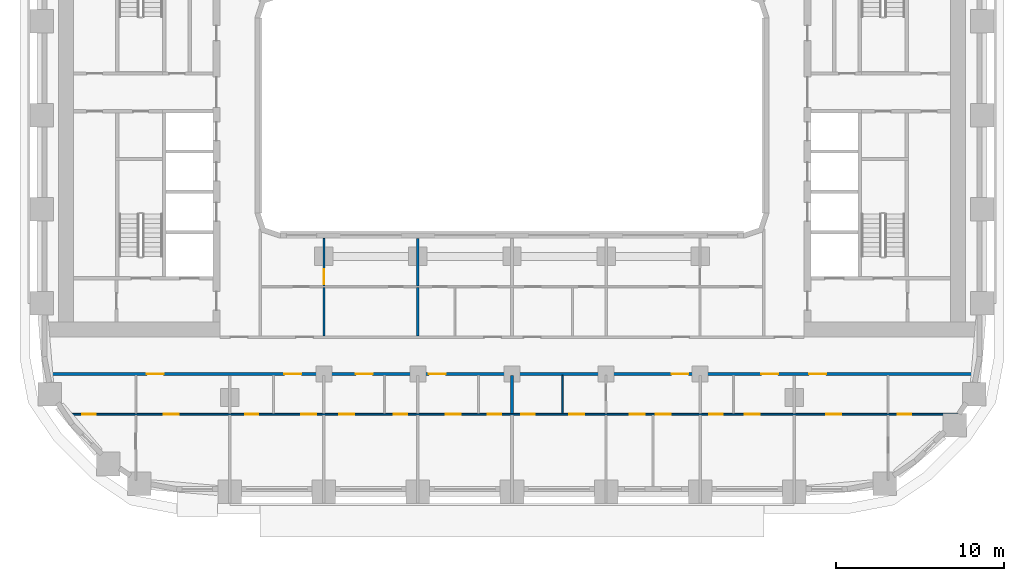
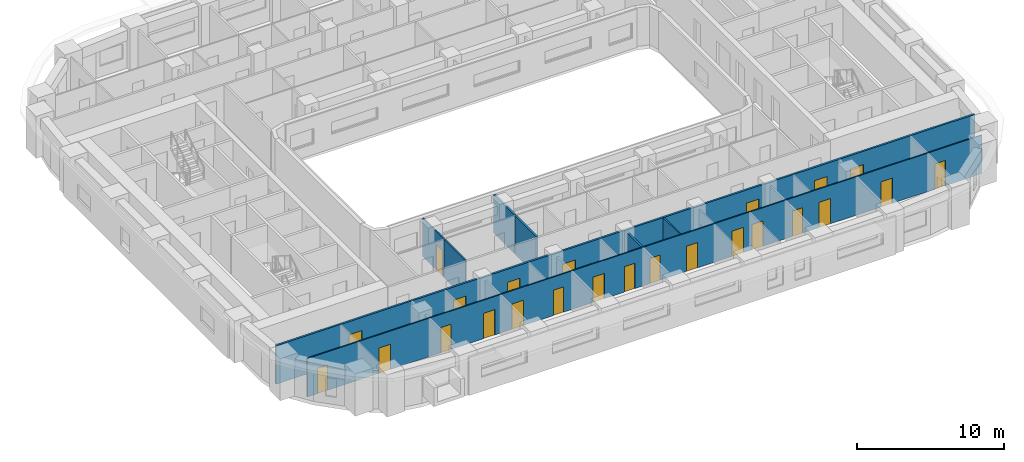
# One storey, part 3 of 22: 24 doors, 8 walls, 24 openings.
"""IFC4 building model written with IfcOpenShell, lengths in metres."""

from ifc_helpers import new_model, si_unit, direction, frame, frame_2d, origin, place, context, subcontext, project, spatial, rectangle, extrude, material, layer, layer_set, type_object, element, fill, save


model = new_model("IFC4")

# Units and contexts
model_context = context("Model", 3, precision=1e-05, world=origin(), true_north=direction((0.0, 1.0)))
body_context = subcontext(model_context, "Body", "Model", "MODEL_VIEW")
ifc_project = project(units=[si_unit("LENGTHUNIT", "METRE"), si_unit("AREAUNIT", "SQUARE_METRE"), si_unit("VOLUMEUNIT", "CUBIC_METRE"), si_unit("PLANEANGLEUNIT", "RADIAN"), si_unit("MASSUNIT", "GRAM", prefix="KILO")], contexts=[model_context])

# Site, building, storey
site_placement = place(None, origin())
site = spatial("IfcSite", under=ifc_project, at=site_placement, CompositionType="ELEMENT")
building_placement = place(site_placement, origin())
building = spatial("IfcBuilding", under=site, at=building_placement, Name="Kiln Ring Residences", CompositionType="ELEMENT")
storey_placement = place(building_placement, frame((0.0, 0.0, 65.5)))
storey = spatial("IfcBuildingStorey", under=building, at=storey_placement, Name="L16", CompositionType="ELEMENT", Elevation=65.5)

# Wall, openings, doors
ifc_material_1 = material(Name="Gypsum board on steel studs", Category="steel")
ifc_layer_1 = layer(ifc_material_1, 0.10009765625)
ifc_layer_set_1 = layer_set([ifc_layer_1], Name="PARTITION-100")
wall_type_1 = type_object("IfcWallType", Name="PARTITION-100", PredefinedType="PARTITIONING", material=ifc_layer_set_1)
wall_1_placement = place(storey_placement, frame((-26.39404296875, -17.800048828125, 0.0), z_axis=(0.0, 0.0, 1.0), x_axis=(1.0, 0.0, 0.0)))
wall_1 = element("IfcWall", 1, at=wall_1_placement, inside=storey, type_object=wall_type_1, Name="Partition 000", PredefinedType="PARTITIONING", context=body_context, shape_type="SweptSolid", body=[
    extrude(rectangle(XDim=53.033935546875, YDim=0.10009765625, at=frame_2d((26.51708984375, 0.0))), origin(), (0.0, 0.0, 1.0), 3.199951171875),
])
opening_1_placement = place(wall_1_placement, frame((0.7939453125, 0.0, 0.0)))
opening_1 = element("IfcOpeningElement", 2, at=opening_1_placement, cuts=wall_1, Name="Opening L16-D058", PredefinedType="OPENING", context=body_context, shape_type="SweptSolid", body=[
    extrude(rectangle(XDim=0.800048828125, YDim=2.10009765625, at=frame_2d((0.39990234375, 1.050048828125))), frame((0.0, 0.06005859375, 0.0), z_axis=(0.0, -1.0, 0.0), x_axis=(1.0, 0.0, 0.0)), (0.0, 0.0, 1.0), 0.1201171875),
])
opening_2_placement = place(wall_1_placement, frame((5.64404296875, 0.0, 0.0)))
opening_2 = element("IfcOpeningElement", 3, at=opening_2_placement, cuts=wall_1, Name="Opening L16-D059", PredefinedType="OPENING", context=body_context, shape_type="SweptSolid", body=[
    extrude(rectangle(XDim=0.89990234375, YDim=2.10009765625, at=frame_2d((0.449951171875, 1.050048828125))), frame((0.0, 0.06005859375, 0.0), z_axis=(0.0, -1.0, 0.0), x_axis=(1.0, 0.0, 0.0)), (0.0, 0.0, 1.0), 0.1201171875),
])
opening_3_placement = place(wall_1_placement, frame((10.493896484375, 0.0, 0.0)))
opening_3 = element("IfcOpeningElement", 4, at=opening_3_placement, cuts=wall_1, Name="Opening L16-D062", PredefinedType="OPENING", context=body_context, shape_type="SweptSolid", body=[
    extrude(rectangle(XDim=0.800048828125, YDim=2.10009765625, at=frame_2d((0.39990234375, 1.050048828125))), frame((0.0, 0.06005859375, 0.0), z_axis=(0.0, -1.0, 0.0), x_axis=(1.0, 0.0, 0.0)), (0.0, 0.0, 1.0), 0.1201171875),
])
opening_4_placement = place(wall_1_placement, frame((13.843994140625, 0.0, 0.0)))
opening_4 = element("IfcOpeningElement", 5, at=opening_4_placement, cuts=wall_1, Name="Opening L16-D063", PredefinedType="OPENING", context=body_context, shape_type="SweptSolid", body=[
    extrude(rectangle(XDim=0.89990234375, YDim=2.10009765625, at=frame_2d((0.449951171875, 1.050048828125))), frame((0.0, 0.06005859375, 0.0), z_axis=(0.0, -1.0, 0.0), x_axis=(1.0, 0.0, 0.0)), (0.0, 0.0, 1.0), 0.1201171875),
])
opening_5_placement = place(wall_1_placement, frame((19.343994140625, 0.0, 0.0)))
opening_5 = element("IfcOpeningElement", 6, at=opening_5_placement, cuts=wall_1, Name="Opening L16-D065", PredefinedType="OPENING", context=body_context, shape_type="SweptSolid", body=[
    extrude(rectangle(XDim=0.800048828125, YDim=2.10009765625, at=frame_2d((0.39990234375, 1.050048828125))), frame((0.0, 0.06005859375, 0.0), z_axis=(0.0, -1.0, 0.0), x_axis=(1.0, 0.0, 0.0)), (0.0, 0.0, 1.0), 0.1201171875),
])
opening_6_placement = place(wall_1_placement, frame((16.093994140625, 0.0, 0.0)))
opening_6 = element("IfcOpeningElement", 7, at=opening_6_placement, cuts=wall_1, Name="Opening L16-D066", PredefinedType="OPENING", context=body_context, shape_type="SweptSolid", body=[
    extrude(rectangle(XDim=0.89990234375, YDim=2.10009765625, at=frame_2d((0.449951171875, 1.050048828125))), frame((0.0, 0.06005859375, 0.0), z_axis=(0.0, -1.0, 0.0), x_axis=(1.0, 0.0, 0.0)), (0.0, 0.0, 1.0), 0.1201171875),
])
opening_7_placement = place(wall_1_placement, frame((24.944091796875, 0.0, 0.0)))
opening_7 = element("IfcOpeningElement", 8, at=opening_7_placement, cuts=wall_1, Name="Opening L16-D068", PredefinedType="OPENING", context=body_context, shape_type="SweptSolid", body=[
    extrude(rectangle(XDim=0.800048828125, YDim=2.10009765625, at=frame_2d((0.39990234375, 1.050048828125))), frame((0.0, 0.06005859375, 0.0), z_axis=(0.0, -1.0, 0.0), x_axis=(1.0, 0.0, 0.0)), (0.0, 0.0, 1.0), 0.1201171875),
])
opening_8_placement = place(wall_1_placement, frame((22.444091796875, 0.0, 0.0)))
opening_8 = element("IfcOpeningElement", 9, at=opening_8_placement, cuts=wall_1, Name="Opening L16-D069", PredefinedType="OPENING", context=body_context, shape_type="SweptSolid", body=[
    extrude(rectangle(XDim=0.89990234375, YDim=2.10009765625, at=frame_2d((0.449951171875, 1.050048828125))), frame((0.0, 0.06005859375, 0.0), z_axis=(0.0, -1.0, 0.0), x_axis=(1.0, 0.0, 0.0)), (0.0, 0.0, 1.0), 0.1201171875),
])
opening_9_placement = place(wall_1_placement, frame((26.944091796875, 0.0, 0.0)))
opening_9 = element("IfcOpeningElement", 10, at=opening_9_placement, cuts=wall_1, Name="Opening L16-D072", PredefinedType="OPENING", context=body_context, shape_type="SweptSolid", body=[
    extrude(rectangle(XDim=0.800048828125, YDim=2.10009765625, at=frame_2d((0.39990234375, 1.050048828125))), frame((0.0, 0.06005859375, 0.0), z_axis=(0.0, -1.0, 0.0), x_axis=(1.0, 0.0, 0.0)), (0.0, 0.0, 1.0), 0.1201171875),
])
opening_10_placement = place(wall_1_placement, frame((29.7939453125, 0.0, 0.0)))
opening_10 = element("IfcOpeningElement", 11, at=opening_10_placement, cuts=wall_1, Name="Opening L16-D073", PredefinedType="OPENING", context=body_context, shape_type="SweptSolid", body=[
    extrude(rectangle(XDim=0.89990234375, YDim=2.10009765625, at=frame_2d((0.449951171875, 1.050048828125))), frame((0.0, 0.06005859375, 0.0), z_axis=(0.0, -1.0, 0.0), x_axis=(1.0, 0.0, 0.0)), (0.0, 0.0, 1.0), 0.1201171875),
])
opening_11_placement = place(wall_1_placement, frame((33.39404296875, 0.0, 0.0)))
opening_11 = element("IfcOpeningElement", 12, at=opening_11_placement, cuts=wall_1, Name="Opening L16-D074", PredefinedType="OPENING", context=body_context, shape_type="SweptSolid", body=[
    extrude(rectangle(XDim=0.89990234375, YDim=2.10009765625, at=frame_2d((0.449951171875, 1.050048828125))), frame((0.0, 0.06005859375, 0.0), z_axis=(0.0, -1.0, 0.0), x_axis=(1.0, 0.0, 0.0)), (0.0, 0.0, 1.0), 0.1201171875),
])
opening_12_placement = place(wall_1_placement, frame((34.944091796875, 0.0, 0.0)))
opening_12 = element("IfcOpeningElement", 13, at=opening_12_placement, cuts=wall_1, Name="Opening L16-D075", PredefinedType="OPENING", context=body_context, shape_type="SweptSolid", body=[
    extrude(rectangle(XDim=0.89990234375, YDim=2.10009765625, at=frame_2d((0.449951171875, 1.050048828125))), frame((0.0, 0.06005859375, 0.0), z_axis=(0.0, -1.0, 0.0), x_axis=(1.0, 0.0, 0.0)), (0.0, 0.0, 1.0), 0.1201171875),
])
opening_13_placement = place(wall_1_placement, frame((38.14404296875, 0.0, 0.0)))
opening_13 = element("IfcOpeningElement", 14, at=opening_13_placement, cuts=wall_1, Name="Opening L16-D077", PredefinedType="OPENING", context=body_context, shape_type="SweptSolid", body=[
    extrude(rectangle(XDim=0.800048828125, YDim=2.10009765625, at=frame_2d((0.39990234375, 1.050048828125))), frame((0.0, 0.06005859375, 0.0), z_axis=(0.0, -1.0, 0.0), x_axis=(1.0, 0.0, 0.0)), (0.0, 0.0, 1.0), 0.1201171875),
])
opening_14_placement = place(wall_1_placement, frame((40.243896484375, 0.0, 0.0)))
opening_14 = element("IfcOpeningElement", 15, at=opening_14_placement, cuts=wall_1, Name="Opening L16-D078", PredefinedType="OPENING", context=body_context, shape_type="SweptSolid", body=[
    extrude(rectangle(XDim=0.89990234375, YDim=2.10009765625, at=frame_2d((0.449951171875, 1.050048828125))), frame((0.0, 0.06005859375, 0.0), z_axis=(0.0, -1.0, 0.0), x_axis=(1.0, 0.0, 0.0)), (0.0, 0.0, 1.0), 0.1201171875),
])
opening_15_placement = place(wall_1_placement, frame((49.362060546875, 0.0, 0.0)))
opening_15 = element("IfcOpeningElement", 16, at=opening_15_placement, cuts=wall_1, Name="Opening L16-D080", PredefinedType="OPENING", context=body_context, shape_type="SweptSolid", body=[
    extrude(rectangle(XDim=0.800048828125, YDim=2.10009765625, at=frame_2d((0.39990234375, 1.050048828125))), frame((0.0, 0.06005859375, 0.0), z_axis=(0.0, -1.0, 0.0), x_axis=(1.0, 0.0, 0.0)), (0.0, 0.0, 1.0), 0.1201171875),
])
opening_16_placement = place(wall_1_placement, frame((45.093994140625, 0.0, 0.0)))
opening_16 = element("IfcOpeningElement", 17, at=opening_16_placement, cuts=wall_1, Name="Opening L16-D081", PredefinedType="OPENING", context=body_context, shape_type="SweptSolid", body=[
    extrude(rectangle(XDim=0.89990234375, YDim=2.10009765625, at=frame_2d((0.449951171875, 1.050048828125))), frame((0.0, 0.06005859375, 0.0), z_axis=(0.0, -1.0, 0.0), x_axis=(1.0, 0.0, 0.0)), (0.0, 0.0, 1.0), 0.1201171875),
])
ifc_material_2 = material(Name="Timber door leaf", Category="wood")
door_type_1 = type_object("IfcDoorType", Name="FLAT-DOOR-800-PL", OperationType="SINGLE_SWING_LEFT", PredefinedType="DOOR", material=ifc_material_2)
door_1_placement = place(opening_1_placement, origin())
door_1 = element("IfcDoor", 18, at=door_1_placement, inside=storey, type_object=door_type_1, Name="Door L16-D058", OperationType="SINGLE_SWING_RIGHT", OverallHeight=2.10009765625, OverallWidth=0.800048828125, PredefinedType="DOOR", context=body_context, shape_type="SweptSolid", body=[
    extrude(rectangle(XDim=0.800048828125, YDim=2.10009765625, at=frame_2d((0.39990234375, 1.050048828125))), frame((0.0, 0.02490234375, 0.0), z_axis=(0.0, -1.0, 0.0), x_axis=(1.0, 0.0, 0.0)), (0.0, 0.0, 1.0), 0.050048828125),
])
fill(opening_1, door_1)
door_2_placement = place(opening_3_placement, origin())
door_2 = element("IfcDoor", 19, at=door_2_placement, inside=storey, type_object=door_type_1, Name="Door L16-D062", OperationType="SINGLE_SWING_RIGHT", OverallHeight=2.10009765625, OverallWidth=0.800048828125, PredefinedType="DOOR", context=body_context, shape_type="SweptSolid", body=[
    extrude(rectangle(XDim=0.800048828125, YDim=2.10009765625, at=frame_2d((0.39990234375, 1.050048828125))), frame((0.0, 0.02490234375, 0.0), z_axis=(0.0, -1.0, 0.0), x_axis=(1.0, 0.0, 0.0)), (0.0, 0.0, 1.0), 0.050048828125),
])
fill(opening_3, door_2)
door_3_placement = place(opening_5_placement, origin())
door_3 = element("IfcDoor", 20, at=door_3_placement, inside=storey, type_object=door_type_1, Name="Door L16-D065", OperationType="SINGLE_SWING_LEFT", OverallHeight=2.10009765625, OverallWidth=0.800048828125, PredefinedType="DOOR", context=body_context, shape_type="SweptSolid", body=[
    extrude(rectangle(XDim=0.800048828125, YDim=2.10009765625, at=frame_2d((0.39990234375, 1.050048828125))), frame((0.0, 0.02490234375, 0.0), z_axis=(0.0, -1.0, 0.0), x_axis=(1.0, 0.0, 0.0)), (0.0, 0.0, 1.0), 0.050048828125),
])
fill(opening_5, door_3)
door_4_placement = place(opening_7_placement, origin())
door_4 = element("IfcDoor", 21, at=door_4_placement, inside=storey, type_object=door_type_1, Name="Door L16-D068", OperationType="SINGLE_SWING_RIGHT", OverallHeight=2.10009765625, OverallWidth=0.800048828125, PredefinedType="DOOR", context=body_context, shape_type="SweptSolid", body=[
    extrude(rectangle(XDim=0.800048828125, YDim=2.10009765625, at=frame_2d((0.39990234375, 1.050048828125))), frame((0.0, 0.02490234375, 0.0), z_axis=(0.0, -1.0, 0.0), x_axis=(1.0, 0.0, 0.0)), (0.0, 0.0, 1.0), 0.050048828125),
])
fill(opening_7, door_4)
door_5_placement = place(opening_9_placement, origin())
door_5 = element("IfcDoor", 22, at=door_5_placement, inside=storey, type_object=door_type_1, Name="Door L16-D072", OperationType="SINGLE_SWING_RIGHT", OverallHeight=2.10009765625, OverallWidth=0.800048828125, PredefinedType="DOOR", context=body_context, shape_type="SweptSolid", body=[
    extrude(rectangle(XDim=0.800048828125, YDim=2.10009765625, at=frame_2d((0.39990234375, 1.050048828125))), frame((0.0, 0.02490234375, 0.0), z_axis=(0.0, -1.0, 0.0), x_axis=(1.0, 0.0, 0.0)), (0.0, 0.0, 1.0), 0.050048828125),
])
fill(opening_9, door_5)
door_6_placement = place(opening_13_placement, origin())
door_6 = element("IfcDoor", 23, at=door_6_placement, inside=storey, type_object=door_type_1, Name="Door L16-D077", OperationType="SINGLE_SWING_LEFT", OverallHeight=2.10009765625, OverallWidth=0.800048828125, PredefinedType="DOOR", context=body_context, shape_type="SweptSolid", body=[
    extrude(rectangle(XDim=0.800048828125, YDim=2.10009765625, at=frame_2d((0.39990234375, 1.050048828125))), frame((0.0, 0.02490234375, 0.0), z_axis=(0.0, -1.0, 0.0), x_axis=(1.0, 0.0, 0.0)), (0.0, 0.0, 1.0), 0.050048828125),
])
fill(opening_13, door_6)
door_7_placement = place(opening_15_placement, origin())
door_7 = element("IfcDoor", 24, at=door_7_placement, inside=storey, type_object=door_type_1, Name="Door L16-D080", OperationType="SINGLE_SWING_RIGHT", OverallHeight=2.10009765625, OverallWidth=0.800048828125, PredefinedType="DOOR", context=body_context, shape_type="SweptSolid", body=[
    extrude(rectangle(XDim=0.800048828125, YDim=2.10009765625, at=frame_2d((0.39990234375, 1.050048828125))), frame((0.0, 0.02490234375, 0.0), z_axis=(0.0, -1.0, 0.0), x_axis=(1.0, 0.0, 0.0)), (0.0, 0.0, 1.0), 0.050048828125),
])
fill(opening_15, door_7)
ifc_material_3 = material(Name="Timber door leaf", Category="wood")
door_type_2 = type_object("IfcDoorType", Name="FLAT-DOOR-900-PL", OperationType="SINGLE_SWING_LEFT", PredefinedType="DOOR", material=ifc_material_3)
door_8_placement = place(opening_2_placement, origin())
door_8 = element("IfcDoor", 25, at=door_8_placement, inside=storey, type_object=door_type_2, Name="Door L16-D059", OperationType="SINGLE_SWING_LEFT", OverallHeight=2.10009765625, OverallWidth=0.89990234375, PredefinedType="DOOR", context=body_context, shape_type="SweptSolid", body=[
    extrude(rectangle(XDim=0.89990234375, YDim=2.10009765625, at=frame_2d((0.449951171875, 1.050048828125))), frame((0.0, 0.02490234375, 0.0), z_axis=(0.0, -1.0, 0.0), x_axis=(1.0, 0.0, 0.0)), (0.0, 0.0, 1.0), 0.050048828125),
])
fill(opening_2, door_8)
door_9_placement = place(opening_4_placement, origin())
door_9 = element("IfcDoor", 26, at=door_9_placement, inside=storey, type_object=door_type_2, Name="Door L16-D063", OperationType="SINGLE_SWING_RIGHT", OverallHeight=2.10009765625, OverallWidth=0.89990234375, PredefinedType="DOOR", context=body_context, shape_type="SweptSolid", body=[
    extrude(rectangle(XDim=0.89990234375, YDim=2.10009765625, at=frame_2d((0.449951171875, 1.050048828125))), frame((0.0, 0.02490234375, 0.0), z_axis=(0.0, -1.0, 0.0), x_axis=(1.0, 0.0, 0.0)), (0.0, 0.0, 1.0), 0.050048828125),
])
fill(opening_4, door_9)
door_10_placement = place(opening_6_placement, origin())
door_10 = element("IfcDoor", 27, at=door_10_placement, inside=storey, type_object=door_type_2, Name="Door L16-D066", OperationType="SINGLE_SWING_LEFT", OverallHeight=2.10009765625, OverallWidth=0.89990234375, PredefinedType="DOOR", context=body_context, shape_type="SweptSolid", body=[
    extrude(rectangle(XDim=0.89990234375, YDim=2.10009765625, at=frame_2d((0.449951171875, 1.050048828125))), frame((0.0, 0.02490234375, 0.0), z_axis=(0.0, -1.0, 0.0), x_axis=(1.0, 0.0, 0.0)), (0.0, 0.0, 1.0), 0.050048828125),
])
fill(opening_6, door_10)
door_11_placement = place(opening_8_placement, origin())
door_11 = element("IfcDoor", 28, at=door_11_placement, inside=storey, type_object=door_type_2, Name="Door L16-D069", OperationType="SINGLE_SWING_RIGHT", OverallHeight=2.10009765625, OverallWidth=0.89990234375, PredefinedType="DOOR", context=body_context, shape_type="SweptSolid", body=[
    extrude(rectangle(XDim=0.89990234375, YDim=2.10009765625, at=frame_2d((0.449951171875, 1.050048828125))), frame((0.0, 0.02490234375, 0.0), z_axis=(0.0, -1.0, 0.0), x_axis=(1.0, 0.0, 0.0)), (0.0, 0.0, 1.0), 0.050048828125),
])
fill(opening_8, door_11)
door_12_placement = place(opening_10_placement, origin())
door_12 = element("IfcDoor", 29, at=door_12_placement, inside=storey, type_object=door_type_2, Name="Door L16-D073", OperationType="SINGLE_SWING_LEFT", OverallHeight=2.10009765625, OverallWidth=0.89990234375, PredefinedType="DOOR", context=body_context, shape_type="SweptSolid", body=[
    extrude(rectangle(XDim=0.89990234375, YDim=2.10009765625, at=frame_2d((0.449951171875, 1.050048828125))), frame((0.0, 0.02490234375, 0.0), z_axis=(0.0, -1.0, 0.0), x_axis=(1.0, 0.0, 0.0)), (0.0, 0.0, 1.0), 0.050048828125),
])
fill(opening_10, door_12)
door_13_placement = place(opening_11_placement, origin())
door_13 = element("IfcDoor", 30, at=door_13_placement, inside=storey, type_object=door_type_2, Name="Door L16-D074", OperationType="SINGLE_SWING_RIGHT", OverallHeight=2.10009765625, OverallWidth=0.89990234375, PredefinedType="DOOR", context=body_context, shape_type="SweptSolid", body=[
    extrude(rectangle(XDim=0.89990234375, YDim=2.10009765625, at=frame_2d((0.449951171875, 1.050048828125))), frame((0.0, 0.02490234375, 0.0), z_axis=(0.0, -1.0, 0.0), x_axis=(1.0, 0.0, 0.0)), (0.0, 0.0, 1.0), 0.050048828125),
])
fill(opening_11, door_13)
door_14_placement = place(opening_12_placement, origin())
door_14 = element("IfcDoor", 31, at=door_14_placement, inside=storey, type_object=door_type_2, Name="Door L16-D075", OperationType="SINGLE_SWING_LEFT", OverallHeight=2.10009765625, OverallWidth=0.89990234375, PredefinedType="DOOR", context=body_context, shape_type="SweptSolid", body=[
    extrude(rectangle(XDim=0.89990234375, YDim=2.10009765625, at=frame_2d((0.449951171875, 1.050048828125))), frame((0.0, 0.02490234375, 0.0), z_axis=(0.0, -1.0, 0.0), x_axis=(1.0, 0.0, 0.0)), (0.0, 0.0, 1.0), 0.050048828125),
])
fill(opening_12, door_14)
door_15_placement = place(opening_14_placement, origin())
door_15 = element("IfcDoor", 32, at=door_15_placement, inside=storey, type_object=door_type_2, Name="Door L16-D078", OperationType="SINGLE_SWING_LEFT", OverallHeight=2.10009765625, OverallWidth=0.89990234375, PredefinedType="DOOR", context=body_context, shape_type="SweptSolid", body=[
    extrude(rectangle(XDim=0.89990234375, YDim=2.10009765625, at=frame_2d((0.449951171875, 1.050048828125))), frame((0.0, 0.02490234375, 0.0), z_axis=(0.0, -1.0, 0.0), x_axis=(1.0, 0.0, 0.0)), (0.0, 0.0, 1.0), 0.050048828125),
])
fill(opening_14, door_15)
door_16_placement = place(opening_16_placement, origin())
door_16 = element("IfcDoor", 33, at=door_16_placement, inside=storey, type_object=door_type_2, Name="Door L16-D081", OperationType="SINGLE_SWING_LEFT", OverallHeight=2.10009765625, OverallWidth=0.89990234375, PredefinedType="DOOR", context=body_context, shape_type="SweptSolid", body=[
    extrude(rectangle(XDim=0.89990234375, YDim=2.10009765625, at=frame_2d((0.449951171875, 1.050048828125))), frame((0.0, 0.02490234375, 0.0), z_axis=(0.0, -1.0, 0.0), x_axis=(1.0, 0.0, 0.0)), (0.0, 0.0, 1.0), 0.050048828125),
])
fill(opening_16, door_16)

# Wall
wall_2_placement = place(storey_placement, frame((-11.199951171875, -13.125, 0.0), z_axis=(0.0, 0.0, 1.0), x_axis=(0.0, 1.0, 0.0)))
element("IfcWall", 34, at=wall_2_placement, inside=storey, type_object=wall_type_1, Name="Partition 020", PredefinedType="PARTITIONING", context=body_context, shape_type="SweptSolid", body=[
    extrude(rectangle(XDim=2.875, YDim=0.10009765625, at=frame_2d((1.4375, 0.0))), origin(), (0.0, 0.0, 1.0), 3.199951171875),
])

# Wall, opening, door
wall_3_placement = place(storey_placement, frame((-11.199951171875, -10.14990234375, 0.0), z_axis=(0.0, 0.0, 1.0), x_axis=(0.0, 1.0, 0.0)))
wall_3 = element("IfcWall", 35, at=wall_3_placement, inside=storey, type_object=wall_type_1, Name="Partition 021", PredefinedType="PARTITIONING", context=body_context, shape_type="SweptSolid", body=[
    extrude(rectangle(XDim=2.829833984375, YDim=0.10009765625, at=frame_2d((1.4150390625, 0.0))), origin(), (0.0, 0.0, 1.0), 3.199951171875),
])
opening_17_placement = place(wall_3_placement, frame((0.10009765625, 0.0, 0.0)))
opening_17 = element("IfcOpeningElement", 36, at=opening_17_placement, cuts=wall_3, Name="Opening L16-D046", PredefinedType="OPENING", context=body_context, shape_type="SweptSolid", body=[
    extrude(rectangle(XDim=0.89990234375, YDim=2.10009765625, at=frame_2d((0.449951171875, 1.050048828125))), frame((0.0, 0.06005859375, 0.0), z_axis=(0.0, -1.0, 0.0), x_axis=(1.0, 0.0, 0.0)), (0.0, 0.0, 1.0), 0.1201171875),
])
door_17_placement = place(opening_17_placement, origin())
door_17 = element("IfcDoor", 37, at=door_17_placement, inside=storey, type_object=door_type_2, Name="Door L16-D046", OperationType="SINGLE_SWING_LEFT", OverallHeight=2.10009765625, OverallWidth=0.89990234375, PredefinedType="DOOR", context=body_context, shape_type="SweptSolid", body=[
    extrude(rectangle(XDim=0.89990234375, YDim=2.10009765625, at=frame_2d((0.449951171875, 1.050048828125))), frame((0.0, 0.02490234375, 0.0), z_axis=(0.0, -1.0, 0.0), x_axis=(1.0, 0.0, 0.0)), (0.0, 0.0, 1.0), 0.050048828125),
])
fill(opening_17, door_17)

# Wall
wall_4_placement = place(storey_placement, frame((3.0, -17.75, 0.0), z_axis=(0.0, 0.0, 1.0), x_axis=(0.0, 1.0, 0.0)))
element("IfcWall", 38, at=wall_4_placement, inside=storey, type_object=wall_type_1, Name="Partition 049", PredefinedType="PARTITIONING", context=body_context, shape_type="SweptSolid", body=[
    extrude(rectangle(XDim=2.27490234375, YDim=0.10009765625, at=frame_2d((1.137451171875, 0.0))), origin(), (0.0, 0.0, 1.0), 3.199951171875),
])

# Wall, openings, doors
ifc_material_4 = material(Name="Brick masonry partition", Category="masonry")
ifc_layer_2 = layer(ifc_material_4, 0.14990234375)
ifc_layer_set_2 = layer_set([ifc_layer_2], Name="PARTITION-150-ei60")
wall_type_2 = type_object("IfcWallType", Name="PARTITION-150-ei60", PredefinedType="PARTITIONING", material=ifc_layer_set_2)
wall_5_placement = place(storey_placement, frame((-27.48388671875, -15.39990234375, 0.0), z_axis=(0.0, 0.0, 1.0), x_axis=(1.0, 0.0, 0.0)))
wall_5 = element("IfcWall", 39, at=wall_5_placement, inside=storey, type_object=wall_type_2, Name="Partition 001", PredefinedType="PARTITIONING", context=body_context, shape_type="SweptSolid", body=[
    extrude(rectangle(XDim=54.9677734375, YDim=0.14990234375, at=frame_2d((27.48388671875, 0.0))), origin(), (0.0, 0.0, 1.0), 3.199951171875),
])
opening_18_placement = place(wall_5_placement, frame((5.73388671875, 0.0, 0.0)))
opening_18 = element("IfcOpeningElement", 40, at=opening_18_placement, cuts=wall_5, Name="Opening L16-D057", PredefinedType="OPENING", context=body_context, shape_type="SweptSolid", body=[
    extrude(rectangle(XDim=1.0, YDim=2.10009765625, at=frame_2d((0.5, 1.050048828125))), frame((0.0, 0.0849609375, 0.0), z_axis=(0.0, -1.0, 0.0), x_axis=(1.0, 0.0, 0.0)), (0.0, 0.0, 1.0), 0.169921875),
])
opening_19_placement = place(wall_5_placement, frame((13.933837890625, 0.0, 0.0)))
opening_19 = element("IfcOpeningElement", 41, at=opening_19_placement, cuts=wall_5, Name="Opening L16-D061", PredefinedType="OPENING", context=body_context, shape_type="SweptSolid", body=[
    extrude(rectangle(XDim=1.0, YDim=2.10009765625, at=frame_2d((0.5, 1.050048828125))), frame((0.0, 0.0849609375, 0.0), z_axis=(0.0, -1.0, 0.0), x_axis=(1.0, 0.0, 0.0)), (0.0, 0.0, 1.0), 0.169921875),
])
opening_20_placement = place(wall_5_placement, frame((18.183837890625, 0.0, 0.0)))
opening_20 = element("IfcOpeningElement", 42, at=opening_20_placement, cuts=wall_5, Name="Opening L16-D064", PredefinedType="OPENING", context=body_context, shape_type="SweptSolid", body=[
    extrude(rectangle(XDim=1.0, YDim=2.10009765625, at=frame_2d((0.5, 1.050048828125))), frame((0.0, 0.0849609375, 0.0), z_axis=(0.0, -1.0, 0.0), x_axis=(1.0, 0.0, 0.0)), (0.0, 0.0, 1.0), 0.169921875),
])
opening_21_placement = place(wall_5_placement, frame((22.53369140625, 0.0, 0.0)))
opening_21 = element("IfcOpeningElement", 43, at=opening_21_placement, cuts=wall_5, Name="Opening L16-D067", PredefinedType="OPENING", context=body_context, shape_type="SweptSolid", body=[
    extrude(rectangle(XDim=1.0, YDim=2.10009765625, at=frame_2d((0.5, 1.050048828125))), frame((0.0, 0.0849609375, 0.0), z_axis=(0.0, -1.0, 0.0), x_axis=(1.0, 0.0, 0.0)), (0.0, 0.0, 1.0), 0.169921875),
])
opening_22_placement = place(wall_5_placement, frame((36.98388671875, 0.0, 0.0)))
opening_22 = element("IfcOpeningElement", 44, at=opening_22_placement, cuts=wall_5, Name="Opening L16-D070", PredefinedType="OPENING", context=body_context, shape_type="SweptSolid", body=[
    extrude(rectangle(XDim=1.0, YDim=2.10009765625, at=frame_2d((0.5, 1.050048828125))), frame((0.0, 0.0849609375, 0.0), z_axis=(0.0, -1.0, 0.0), x_axis=(1.0, 0.0, 0.0)), (0.0, 0.0, 1.0), 0.169921875),
])
opening_23_placement = place(wall_5_placement, frame((42.333740234375, 0.0, 0.0)))
opening_23 = element("IfcOpeningElement", 45, at=opening_23_placement, cuts=wall_5, Name="Opening L16-D076", PredefinedType="OPENING", context=body_context, shape_type="SweptSolid", body=[
    extrude(rectangle(XDim=1.0, YDim=2.10009765625, at=frame_2d((0.5, 1.050048828125))), frame((0.0, 0.0849609375, 0.0), z_axis=(0.0, -1.0, 0.0), x_axis=(1.0, 0.0, 0.0)), (0.0, 0.0, 1.0), 0.169921875),
])
opening_24_placement = place(wall_5_placement, frame((45.183837890625, 0.0, 0.0)))
opening_24 = element("IfcOpeningElement", 46, at=opening_24_placement, cuts=wall_5, Name="Opening L16-D079", PredefinedType="OPENING", context=body_context, shape_type="SweptSolid", body=[
    extrude(rectangle(XDim=1.0, YDim=2.10009765625, at=frame_2d((0.5, 1.050048828125))), frame((0.0, 0.0849609375, 0.0), z_axis=(0.0, -1.0, 0.0), x_axis=(1.0, 0.0, 0.0)), (0.0, 0.0, 1.0), 0.169921875),
])
ifc_material_5 = material(Name="Steel faced fire door leaf", Category="steel")
door_type_3 = type_object("IfcDoorType", Name="FLAT-DOOR-1000-FR", OperationType="SINGLE_SWING_LEFT", PredefinedType="DOOR", material=ifc_material_5)
door_18_placement = place(opening_18_placement, origin())
door_18 = element("IfcDoor", 47, at=door_18_placement, inside=storey, type_object=door_type_3, Name="Door L16-D057", OperationType="SINGLE_SWING_LEFT", OverallHeight=2.10009765625, OverallWidth=1.0, PredefinedType="DOOR", context=body_context, shape_type="SweptSolid", body=[
    extrude(rectangle(XDim=1.0, YDim=2.10009765625, at=frame_2d((0.5, 1.050048828125))), frame((0.0, 0.02490234375, 0.0), z_axis=(0.0, -1.0, 0.0), x_axis=(1.0, 0.0, 0.0)), (0.0, 0.0, 1.0), 0.050048828125),
])
fill(opening_18, door_18)
door_19_placement = place(opening_19_placement, origin())
door_19 = element("IfcDoor", 48, at=door_19_placement, inside=storey, type_object=door_type_3, Name="Door L16-D061", OperationType="SINGLE_SWING_LEFT", OverallHeight=2.10009765625, OverallWidth=1.0, PredefinedType="DOOR", context=body_context, shape_type="SweptSolid", body=[
    extrude(rectangle(XDim=1.0, YDim=2.10009765625, at=frame_2d((0.5, 1.050048828125))), frame((0.0, 0.02490234375, 0.0), z_axis=(0.0, -1.0, 0.0), x_axis=(1.0, 0.0, 0.0)), (0.0, 0.0, 1.0), 0.050048828125),
])
fill(opening_19, door_19)
door_20_placement = place(opening_20_placement, origin())
door_20 = element("IfcDoor", 49, at=door_20_placement, inside=storey, type_object=door_type_3, Name="Door L16-D064", OperationType="SINGLE_SWING_RIGHT", OverallHeight=2.10009765625, OverallWidth=1.0, PredefinedType="DOOR", context=body_context, shape_type="SweptSolid", body=[
    extrude(rectangle(XDim=1.0, YDim=2.10009765625, at=frame_2d((0.5, 1.050048828125))), frame((0.0, 0.02490234375, 0.0), z_axis=(0.0, -1.0, 0.0), x_axis=(1.0, 0.0, 0.0)), (0.0, 0.0, 1.0), 0.050048828125),
])
fill(opening_20, door_20)
door_21_placement = place(opening_21_placement, origin())
door_21 = element("IfcDoor", 50, at=door_21_placement, inside=storey, type_object=door_type_3, Name="Door L16-D067", OperationType="SINGLE_SWING_LEFT", OverallHeight=2.10009765625, OverallWidth=1.0, PredefinedType="DOOR", context=body_context, shape_type="SweptSolid", body=[
    extrude(rectangle(XDim=1.0, YDim=2.10009765625, at=frame_2d((0.5, 1.050048828125))), frame((0.0, 0.02490234375, 0.0), z_axis=(0.0, -1.0, 0.0), x_axis=(1.0, 0.0, 0.0)), (0.0, 0.0, 1.0), 0.050048828125),
])
fill(opening_21, door_21)
door_22_placement = place(opening_22_placement, origin())
door_22 = element("IfcDoor", 51, at=door_22_placement, inside=storey, type_object=door_type_3, Name="Door L16-D070", OperationType="SINGLE_SWING_RIGHT", OverallHeight=2.10009765625, OverallWidth=1.0, PredefinedType="DOOR", context=body_context, shape_type="SweptSolid", body=[
    extrude(rectangle(XDim=1.0, YDim=2.10009765625, at=frame_2d((0.5, 1.050048828125))), frame((0.0, 0.02490234375, 0.0), z_axis=(0.0, -1.0, 0.0), x_axis=(1.0, 0.0, 0.0)), (0.0, 0.0, 1.0), 0.050048828125),
])
fill(opening_22, door_22)
door_23_placement = place(opening_23_placement, origin())
door_23 = element("IfcDoor", 52, at=door_23_placement, inside=storey, type_object=door_type_3, Name="Door L16-D076", OperationType="SINGLE_SWING_RIGHT", OverallHeight=2.10009765625, OverallWidth=1.0, PredefinedType="DOOR", context=body_context, shape_type="SweptSolid", body=[
    extrude(rectangle(XDim=1.0, YDim=2.10009765625, at=frame_2d((0.5, 1.050048828125))), frame((0.0, 0.02490234375, 0.0), z_axis=(0.0, -1.0, 0.0), x_axis=(1.0, 0.0, 0.0)), (0.0, 0.0, 1.0), 0.050048828125),
])
fill(opening_23, door_23)
door_24_placement = place(opening_24_placement, origin())
door_24 = element("IfcDoor", 53, at=door_24_placement, inside=storey, type_object=door_type_3, Name="Door L16-D079", OperationType="SINGLE_SWING_LEFT", OverallHeight=2.10009765625, OverallWidth=1.0, PredefinedType="DOOR", context=body_context, shape_type="SweptSolid", body=[
    extrude(rectangle(XDim=1.0, YDim=2.10009765625, at=frame_2d((0.5, 1.050048828125))), frame((0.0, 0.02490234375, 0.0), z_axis=(0.0, -1.0, 0.0), x_axis=(1.0, 0.0, 0.0)), (0.0, 0.0, 1.0), 0.050048828125),
])
fill(opening_24, door_24)

# Walls
wall_6_placement = place(storey_placement, frame((-5.60009765625, -13.125, 0.0), z_axis=(0.0, 0.0, 1.0), x_axis=(0.0, 1.0, 0.0)))
element("IfcWall", 54, at=wall_6_placement, inside=storey, type_object=wall_type_2, Name="Partition 032", PredefinedType="PARTITIONING", context=body_context, shape_type="SweptSolid", body=[
    extrude(rectangle(XDim=2.875, YDim=0.14990234375, at=frame_2d((1.4375, 0.0))), origin(), (0.0, 0.0, 1.0), 3.199951171875),
])
wall_7_placement = place(storey_placement, frame((-5.60009765625, -10.14990234375, 0.0), z_axis=(0.0, 0.0, 1.0), x_axis=(0.0, 1.0, 0.0)))
element("IfcWall", 55, at=wall_7_placement, inside=storey, type_object=wall_type_2, Name="Partition 033", PredefinedType="PARTITIONING", context=body_context, shape_type="SweptSolid", body=[
    extrude(rectangle(XDim=2.829833984375, YDim=0.14990234375, at=frame_2d((1.4150390625, 0.0))), origin(), (0.0, 0.0, 1.0), 3.199951171875),
])
wall_8_placement = place(storey_placement, frame((0.0, -17.75, 0.0), z_axis=(0.0, 0.0, 1.0), x_axis=(0.0, 1.0, 0.0)))
element("IfcWall", 56, at=wall_8_placement, inside=storey, type_object=wall_type_2, Name="Partition 044", PredefinedType="PARTITIONING", context=body_context, shape_type="SweptSolid", body=[
    extrude(rectangle(XDim=2.27490234375, YDim=0.14990234375, at=frame_2d((1.137451171875, 0.0))), origin(), (0.0, 0.0, 1.0), 3.199951171875),
])

save(model, "model.ifc")
